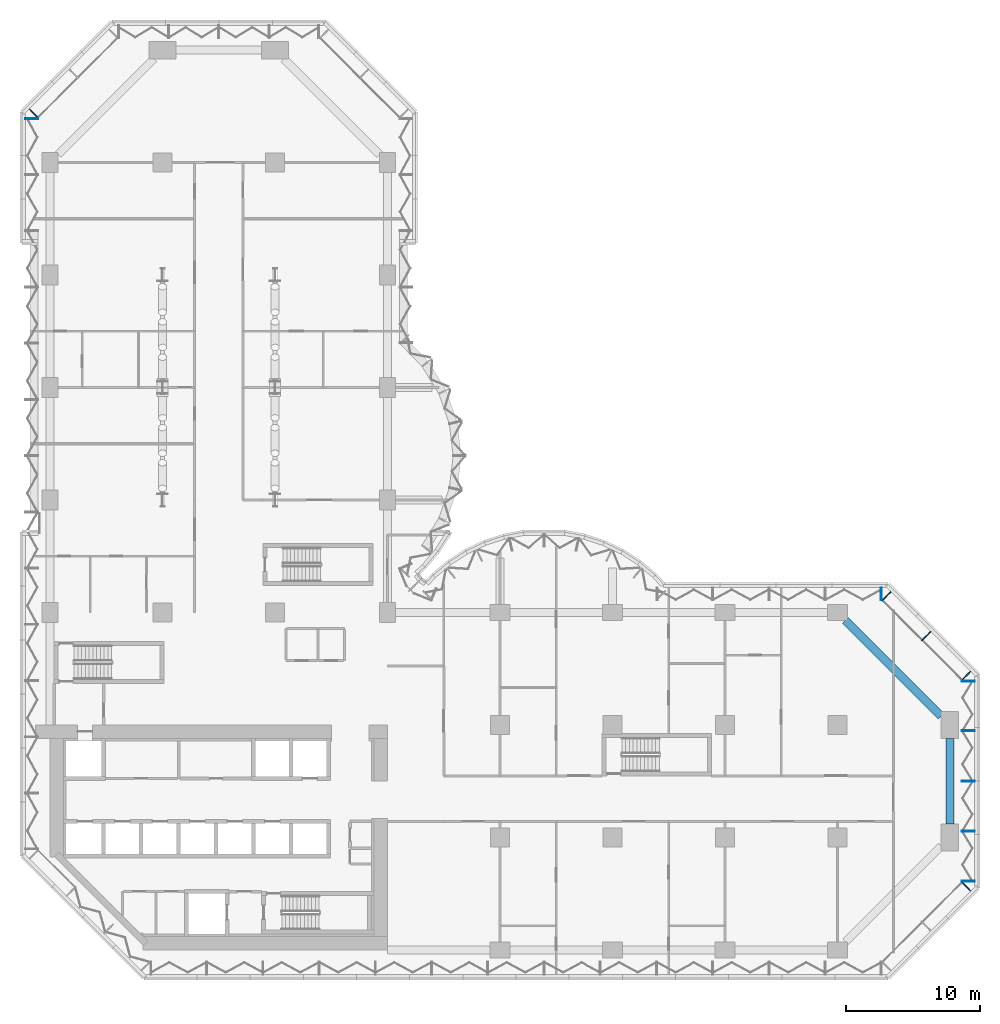
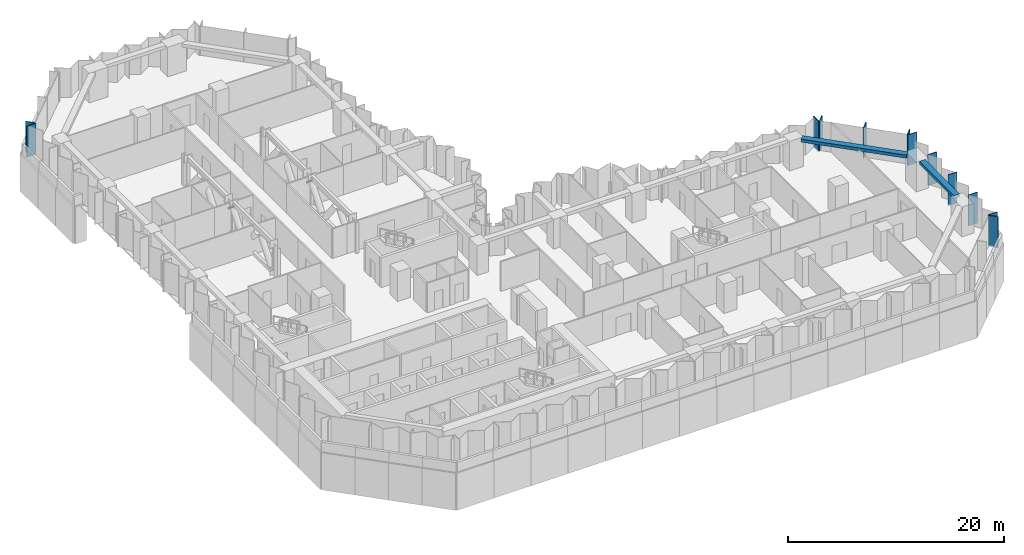
# One storey, part 5 of 24: 12 members, 2 beams, 6 elements without a shape of their own.
"""IFC4 building model written with IfcOpenShell, lengths in metres."""

from ifc_helpers import new_model, si_unit, direction, frame, origin, origin_2d, place, context, subcontext, project, spatial, rectangle, extrude, material, material_profile, profile_set, type_object, element, aggregate, save


model = new_model("IFC4")

# Units and contexts
model_context = context("Model", 3, precision=1e-05, world=origin(), true_north=direction((0.0, 1.0)))
body_context = subcontext(model_context, "Body", "Model", "MODEL_VIEW")
ifc_project = project(units=[si_unit("LENGTHUNIT", "METRE"), si_unit("AREAUNIT", "SQUARE_METRE"), si_unit("VOLUMEUNIT", "CUBIC_METRE"), si_unit("PLANEANGLEUNIT", "RADIAN"), si_unit("MASSUNIT", "GRAM", prefix="KILO")], contexts=[model_context])

# Site, building, storey
site_placement = place(None, origin())
site = spatial("IfcSite", under=ifc_project, at=site_placement, CompositionType="ELEMENT")
building_placement = place(site_placement, origin())
building = spatial("IfcBuilding", under=site, at=building_placement, Name="Brevane Broadcast Tower", CompositionType="ELEMENT")
storey_placement = place(building_placement, frame((0.0, 0.0, 36.5)))
storey = spatial("IfcBuildingStorey", under=building, at=storey_placement, Name="L06", CompositionType="ELEMENT", Elevation=36.5)

# Curtain wall, member
ifc_material_1 = material(Name="Aluminium 6063-T6 bronze anodised", Category="aluminium")
curtain_wall_type = type_object("IfcCurtainWallType", Name="CW-1 curtain wall", PredefinedType="NOTDEFINED", material=ifc_material_1)
curtain_wall_1_placement = place(storey_placement, origin())
curtain_wall_1 = element("IfcCurtainWall", 1, at=curtain_wall_1_placement, inside=storey, type_object=curtain_wall_type, Name="CW-1 typical tilted unit L06 south-east chamfer", PredefinedType="NOTDEFINED")
ifc_material_profile_1 = material_profile(ifc_material_1, rectangle(XDim=0.949951171875, YDim=0.070068359375, at=origin_2d()), Name="RECT 70x950")
ifc_profile_set_1 = profile_set([ifc_material_profile_1], Name="Aluminium 6063-T6 bronze anodised")
member_type = type_object("IfcMemberType", Name="CW-1 mullion 70x950", PredefinedType="MULLION", material=ifc_profile_set_1)
member_1_placement = place(storey_placement, frame((68.4111328125, 4.7392578125, -0.14990234375), z_axis=(0.0, 0.0, 1.0), x_axis=(-0.707106781187, 0.707106781187, 0.0)))
member_1 = element("IfcMember", 2, at=member_1_placement, type_object=member_type, Name="CW-1 mullion", PredefinedType="MULLION", context=body_context, shape_type="SweptSolid", body=[
    extrude(rectangle(XDim=0.949951171875, YDim=0.070068359375, at=origin_2d()), origin(), (0.0, 0.0, 1.0), 3.5),
])
aggregate(curtain_wall_1, [member_1])

# Curtain wall, members
curtain_wall_2_placement = place(storey_placement, origin())
curtain_wall_2 = element("IfcCurtainWall", 3, at=curtain_wall_2_placement, inside=storey, type_object=curtain_wall_type, Name="CW-1 typical tilted unit L06 east end", PredefinedType="NOTDEFINED")
member_2_placement = place(storey_placement, frame((68.574951171875, 5.135009765625, -0.14990234375), z_axis=(0.0, 0.0, 1.0), x_axis=(-1.0, 0.0, 0.0)))
member_2 = element("IfcMember", 4, at=member_2_placement, type_object=member_type, Name="CW-1 mullion", PredefinedType="MULLION", context=body_context, shape_type="SweptSolid", body=[
    extrude(rectangle(XDim=0.949951171875, YDim=0.070068359375, at=origin_2d()), origin(), (0.0, 0.0, 1.0), 3.5),
])
member_3_placement = place(storey_placement, frame((68.574951171875, 8.85009765625, -0.14990234375), z_axis=(0.0, 0.0, 1.0), x_axis=(-1.0, 0.0, 0.0)))
member_3 = element("IfcMember", 5, at=member_3_placement, type_object=member_type, Name="CW-1 mullion", PredefinedType="MULLION", context=body_context, shape_type="SweptSolid", body=[
    extrude(rectangle(XDim=0.949951171875, YDim=0.070068359375, at=origin_2d()), origin(), (0.0, 0.0, 1.0), 3.5),
])
member_4_placement = place(storey_placement, frame((68.574951171875, 12.60009765625, -0.14990234375), z_axis=(0.0, 0.0, 1.0), x_axis=(-1.0, 0.0, 0.0)))
member_4 = element("IfcMember", 6, at=member_4_placement, type_object=member_type, Name="CW-1 mullion", PredefinedType="MULLION", context=body_context, shape_type="SweptSolid", body=[
    extrude(rectangle(XDim=0.949951171875, YDim=0.070068359375, at=origin_2d()), origin(), (0.0, 0.0, 1.0), 3.5),
])
member_5_placement = place(storey_placement, frame((68.574951171875, 16.35009765625, -0.14990234375), z_axis=(0.0, 0.0, 1.0), x_axis=(-1.0, 0.0, 0.0)))
member_5 = element("IfcMember", 7, at=member_5_placement, type_object=member_type, Name="CW-1 mullion", PredefinedType="MULLION", context=body_context, shape_type="SweptSolid", body=[
    extrude(rectangle(XDim=0.949951171875, YDim=0.070068359375, at=origin_2d()), origin(), (0.0, 0.0, 1.0), 3.5),
])
member_6_placement = place(storey_placement, frame((68.574951171875, 20.06494140625, -0.14990234375), z_axis=(0.0, 0.0, 1.0), x_axis=(-1.0, 0.0, 0.0)))
member_6 = element("IfcMember", 8, at=member_6_placement, type_object=member_type, Name="CW-1 mullion", PredefinedType="MULLION", context=body_context, shape_type="SweptSolid", body=[
    extrude(rectangle(XDim=0.949951171875, YDim=0.070068359375, at=origin_2d()), origin(), (0.0, 0.0, 1.0), 3.5),
])
aggregate(curtain_wall_2, [member_2, member_3, member_4, member_5, member_6])

curtain_wall_3_placement = place(storey_placement, origin())
curtain_wall_3 = element("IfcCurtainWall", 9, at=curtain_wall_3_placement, inside=storey, type_object=curtain_wall_type, Name="CW-1 typical tilted unit L06 north-east chamfer", PredefinedType="NOTDEFINED")
member_7_placement = place(storey_placement, frame((68.4111328125, 20.460693359375, -0.14990234375), z_axis=(0.0, 0.0, 1.0), x_axis=(-0.707106781187, -0.707106781187, 0.0)))
member_7 = element("IfcMember", 10, at=member_7_placement, type_object=member_type, Name="CW-1 mullion", PredefinedType="MULLION", context=body_context, shape_type="SweptSolid", body=[
    extrude(rectangle(XDim=0.949951171875, YDim=0.070068359375, at=origin_2d()), origin(), (0.0, 0.0, 1.0), 3.5),
])
member_8_placement = place(storey_placement, frame((65.435791015625, 23.435791015625, -0.14990234375), z_axis=(0.0, 0.0, 1.0), x_axis=(-0.707106781187, -0.707106781187, 0.0)))
member_8 = element("IfcMember", 11, at=member_8_placement, type_object=member_type, Name="CW-1 mullion", PredefinedType="MULLION", context=body_context, shape_type="SweptSolid", body=[
    extrude(rectangle(XDim=0.949951171875, YDim=0.070068359375, at=origin_2d()), origin(), (0.0, 0.0, 1.0), 3.5),
])
member_9_placement = place(storey_placement, frame((62.460693359375, 26.4111328125, -0.14990234375), z_axis=(0.0, 0.0, 1.0), x_axis=(-0.707106781187, -0.707106781187, 0.0)))
member_9 = element("IfcMember", 12, at=member_9_placement, type_object=member_type, Name="CW-1 mullion", PredefinedType="MULLION", context=body_context, shape_type="SweptSolid", body=[
    extrude(rectangle(XDim=0.949951171875, YDim=0.070068359375, at=origin_2d()), origin(), (0.0, 0.0, 1.0), 3.5),
])
aggregate(curtain_wall_3, [member_7, member_8, member_9])

# Curtain wall, member
curtain_wall_4_placement = place(storey_placement, origin())
curtain_wall_4 = element("IfcCurtainWall", 13, at=curtain_wall_4_placement, inside=storey, type_object=curtain_wall_type, Name="CW-1 typical tilted unit L06 east arm north face", PredefinedType="NOTDEFINED")
member_10_placement = place(storey_placement, frame((62.06494140625, 26.574951171875, -0.14990234375), z_axis=(0.0, 0.0, 1.0), x_axis=(0.0, -1.0, 0.0)))
member_10 = element("IfcMember", 14, at=member_10_placement, type_object=member_type, Name="CW-1 mullion", PredefinedType="MULLION", context=body_context, shape_type="SweptSolid", body=[
    extrude(rectangle(XDim=0.949951171875, YDim=0.070068359375, at=origin_2d()), origin(), (0.0, 0.0, 1.0), 3.5),
])
aggregate(curtain_wall_4, [member_10])

curtain_wall_5_placement = place(storey_placement, origin())
curtain_wall_5 = element("IfcCurtainWall", 15, at=curtain_wall_5_placement, inside=storey, type_object=curtain_wall_type, Name="CW-1 typical tilted unit L06 north-west chamfer", PredefinedType="NOTDEFINED")
member_11_placement = place(storey_placement, frame((-1.211181640625, 62.460693359375, -0.14990234375), z_axis=(0.0, 0.0, 1.0), x_axis=(0.707106781187, -0.707106781187, 0.0)))
member_11 = element("IfcMember", 16, at=member_11_placement, type_object=member_type, Name="CW-1 mullion", PredefinedType="MULLION", context=body_context, shape_type="SweptSolid", body=[
    extrude(rectangle(XDim=0.949951171875, YDim=0.070068359375, at=origin_2d()), origin(), (0.0, 0.0, 1.0), 3.5),
])
aggregate(curtain_wall_5, [member_11])

curtain_wall_6_placement = place(storey_placement, origin())
curtain_wall_6 = element("IfcCurtainWall", 17, at=curtain_wall_6_placement, inside=storey, type_object=curtain_wall_type, Name="CW-1 typical tilted unit L06 west face", PredefinedType="NOTDEFINED")
member_12_placement = place(storey_placement, frame((-1.375, 62.06494140625, -0.14990234375), z_axis=(0.0, 0.0, 1.0), x_axis=(1.0, 0.0, 0.0)))
member_12 = element("IfcMember", 18, at=member_12_placement, type_object=member_type, Name="CW-1 mullion", PredefinedType="MULLION", context=body_context, shape_type="SweptSolid", body=[
    extrude(rectangle(XDim=0.949951171875, YDim=0.070068359375, at=origin_2d()), origin(), (0.0, 0.0, 1.0), 3.5),
])
aggregate(curtain_wall_6, [member_12])

# Beams
ifc_material_2 = material(Name="Concrete C40/50", Category="concrete")
ifc_material_profile_2 = material_profile(ifc_material_2, rectangle(XDim=0.60009765625, YDim=0.35009765625, at=origin_2d()), Name="RC 600x350")
ifc_profile_set_2 = profile_set([ifc_material_profile_2], Name="Concrete C40/50")
beam_type = type_object("IfcBeamType", Name="RC SPANDREL BEAM 600x350 C40/50", PredefinedType="SPANDREL", material=ifc_profile_set_2)
beam_1_placement = place(storey_placement, frame((67.199951171875, 9.39990234375, 3.175048828125), z_axis=(0.0, 1.0, 0.0), x_axis=(-1.0, 0.0, 0.0)))
element("IfcBeam", 19, at=beam_1_placement, inside=storey, type_object=beam_type, Name="EB1 L06-6", PredefinedType="SPANDREL", context=body_context, shape_type="SweptSolid", body=[
    extrude(rectangle(XDim=0.60009765625, YDim=0.35009765625, at=origin_2d()), origin(), (0.0, 0.0, 1.0), 6.400146484375),
])
beam_2_placement = place(storey_placement, frame((66.550048828125, 17.449951171875, 3.175048828125), z_axis=(-0.707106781187, 0.707106781187, 0.0), x_axis=(-0.707106781187, -0.707106781187, 0.0)))
element("IfcBeam", 20, at=beam_2_placement, inside=storey, type_object=beam_type, Name="EB1 L06-7", PredefinedType="SPANDREL", context=body_context, shape_type="SweptSolid", body=[
    extrude(rectangle(XDim=0.60009765625, YDim=0.35009765625, at=origin_2d()), origin(), (0.0, 0.0, 1.0), 10.11181640625),
])

save(model, "model.ifc")
